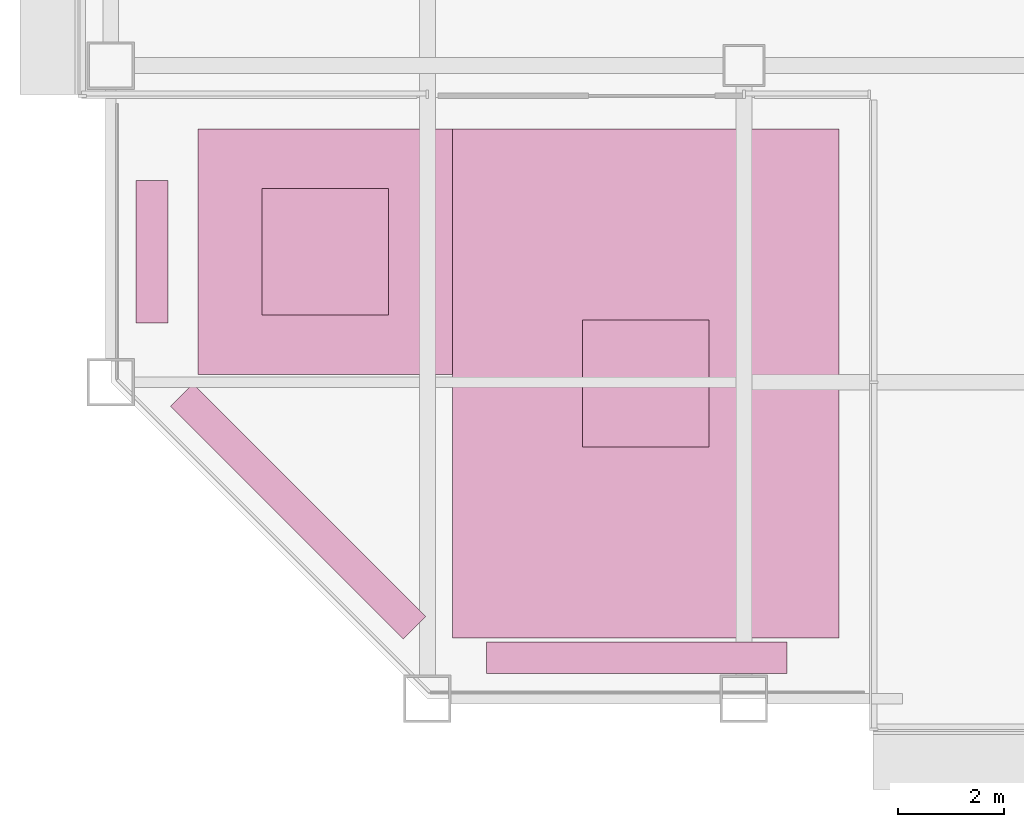
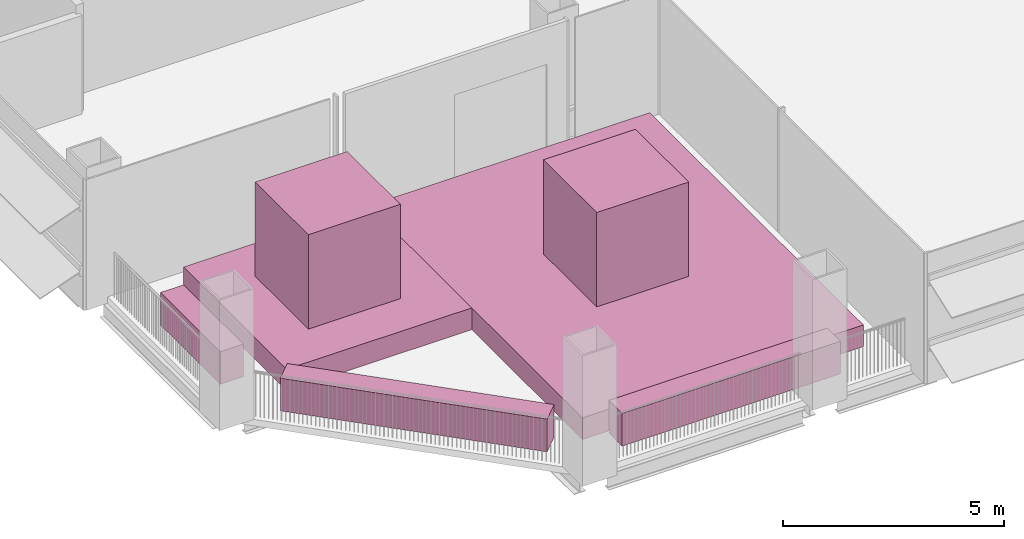
# One storey, part 28 of 28: 7 furniture elements.
"""IFC4 building model written with IfcOpenShell, lengths in metres."""

from ifc_helpers import new_model, si_unit, direction, frame, origin, origin_2d, place, context, subcontext, project, spatial, rectangle, extrude, material, type_object, element, save


model = new_model("IFC4")

# Units and contexts
model_context = context("Model", 3, precision=1e-05, world=origin(), true_north=direction((0.0, 1.0)))
body_context = subcontext(model_context, "Body", "Model", "MODEL_VIEW")
ifc_project = project(units=[si_unit("LENGTHUNIT", "METRE"), si_unit("AREAUNIT", "SQUARE_METRE"), si_unit("VOLUMEUNIT", "CUBIC_METRE"), si_unit("PLANEANGLEUNIT", "RADIAN"), si_unit("MASSUNIT", "GRAM", prefix="KILO")], contexts=[model_context])

# Site, building, storey
site_placement = place(None, origin())
site = spatial("IfcSite", under=ifc_project, at=site_placement, CompositionType="ELEMENT")
building_placement = place(site_placement, origin())
building = spatial("IfcBuilding", under=site, at=building_placement, Name="Sorahane Residences", CompositionType="ELEMENT")
storey_placement = place(building_placement, frame((0.0, 0.0, 60.60009765625)))
storey = spatial("IfcBuildingStorey", under=building, at=storey_placement, Name="L11", CompositionType="ELEMENT", Elevation=60.60009765625)

# Furniture
ifc_material_1 = material(Name="Planting soil with shrubs in a steel-framed bed", Category="steel")
furniture_type_1 = type_object("IfcFurnitureType", Name="PLANTER bed black steel frame with soil 4826x4650", AssemblyPlace="NOTDEFINED", PredefinedType="NOTDEFINED", material=ifc_material_1)
furniture_1_placement = place(storey_placement, frame((4.063232421875, 8.47509765625, -0.000244140625), z_axis=(0.0, 0.0, 1.0), x_axis=(1.0, 0.0, 0.0)))
element("IfcFurniture", 1, at=furniture_1_placement, inside=storey, type_object=furniture_type_1, Name="PLANTER bed L11.1.2", PredefinedType="NOTDEFINED", context=body_context, shape_type="SweptSolid", body=[
    extrude(rectangle(XDim=4.826416015625, YDim=4.64990234375, at=origin_2d()), origin(), (0.0, 0.0, 1.0), 0.60009765625),
])
ifc_material_2 = material(Name="Planting soil with shrubs in a steel-framed bed", Category="steel")
furniture_type_2 = type_object("IfcFurnitureType", Name="PLANTER bed black steel frame with soil 7324x9650", AssemblyPlace="NOTDEFINED", PredefinedType="NOTDEFINED", material=ifc_material_2)
furniture_2_placement = place(storey_placement, frame((10.13818359375, 5.97509765625, -0.000244140625), z_axis=(0.0, 0.0, 1.0), x_axis=(1.0, 0.0, 0.0)))
element("IfcFurniture", 2, at=furniture_2_placement, inside=storey, type_object=furniture_type_2, Name="PLANTER bed L11.1.1", PredefinedType="NOTDEFINED", context=body_context, shape_type="SweptSolid", body=[
    extrude(rectangle(XDim=7.32373046875, YDim=9.64990234375, at=origin_2d()), origin(), (0.0, 0.0, 1.0), 0.60009765625),
])
ifc_material_3 = material(Name="Planting soil with hedge in a steel-framed trough", Category="steel")
furniture_type_3 = type_object("IfcFurnitureType", Name="PLANTER hedge strip black steel frame with soil", AssemblyPlace="NOTDEFINED", PredefinedType="NOTDEFINED", material=ifc_material_3)
furniture_3_placement = place(storey_placement, frame((9.971435546875, 0.780029296875, 0.0), z_axis=(0.0, 0.0, 1.0), x_axis=(-1.0, 0.0, 0.0)))
element("IfcFurniture", 3, at=furniture_3_placement, inside=storey, type_object=furniture_type_3, Name="PLANTER hedge L11.1.1", PredefinedType="NOTDEFINED", context=body_context, shape_type="SweptSolid", body=[
    extrude(rectangle(XDim=5.697021484375, YDim=0.60009765625, at=origin_2d()), origin(), (0.0, 0.0, 1.0), 0.89990234375),
])
furniture_4_placement = place(storey_placement, frame((3.551513671875, 3.551513671875, 0.0), z_axis=(0.0, 0.0, 1.0), x_axis=(-0.707106781187, 0.707106781187, 0.0)))
element("IfcFurniture", 4, at=furniture_4_placement, inside=storey, type_object=furniture_type_3, Name="PLANTER hedge L11.1.2", PredefinedType="NOTDEFINED", context=body_context, shape_type="SweptSolid", body=[
    extrude(rectangle(XDim=6.239013671875, YDim=0.60009765625, at=origin_2d()), origin(), (0.0, 0.0, 1.0), 0.89990234375),
])
furniture_5_placement = place(storey_placement, frame((0.780029296875, 8.471435546875, 0.0), z_axis=(0.0, 0.0, 1.0), x_axis=(0.0, 1.0, 0.0)))
element("IfcFurniture", 5, at=furniture_5_placement, inside=storey, type_object=furniture_type_3, Name="PLANTER hedge L11.1.3", PredefinedType="NOTDEFINED", context=body_context, shape_type="SweptSolid", body=[
    extrude(rectangle(XDim=2.697021484375, YDim=0.60009765625, at=origin_2d()), origin(), (0.0, 0.0, 1.0), 0.89990234375),
])
ifc_material_4 = material(Name="Green foliage shrub planting")
furniture_type_4 = type_object("IfcFurnitureType", Name="PLANTER shrub planting green foliage", AssemblyPlace="NOTDEFINED", PredefinedType="NOTDEFINED", material=ifc_material_4)
for number, where, z_axis, x_axis, name in (
    (6, (10.13818359375, 5.97509765625, 0.599853515625), (0.0, 0.0, 1.0), (1.0, 0.0, 0.0), "PLANTER shrub L11.1.1"),
    (7, (4.063232421875, 8.47509765625, 0.599853515625), (0.0, 0.0, 1.0), (1.0, 0.0, 0.0), "PLANTER shrub L11.1.2"),
):
    element("IfcFurniture", number, at=place(storey_placement, frame(where, z_axis=z_axis, x_axis=x_axis)), inside=storey, type_object=furniture_type_4, Name=name, PredefinedType="NOTDEFINED", context=body_context, shape_type="SweptSolid", body=[
        extrude(rectangle(XDim=2.39990234375, YDim=2.39990234375, at=origin_2d()), origin(), (0.0, 0.0, 1.0), 2.60009765625),
    ])

save(model, "model.ifc")
